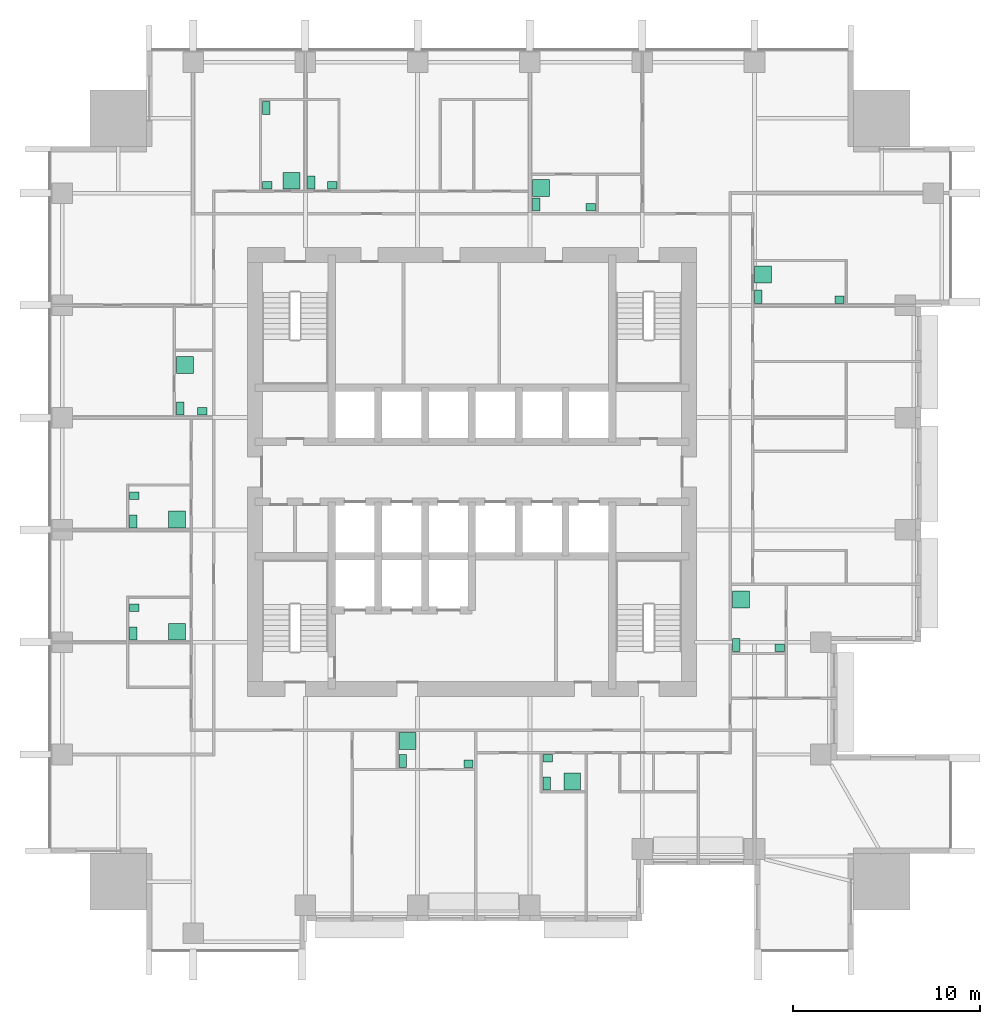
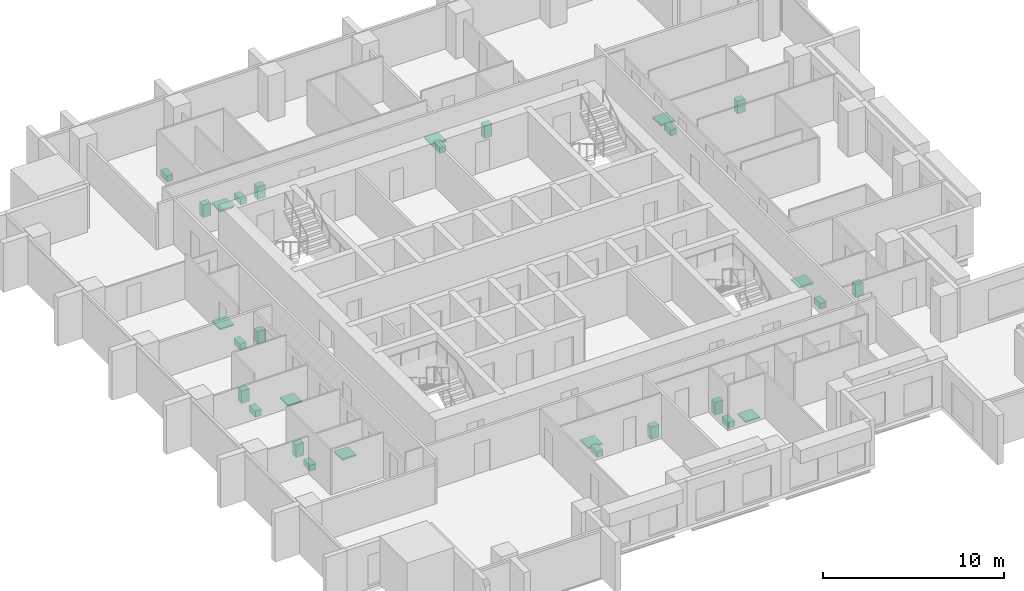
# One storey, part 10 of 10: 29 sanitary terminals.
"""IFC4 building model written with IfcOpenShell, lengths in metres."""

from ifc_helpers import new_model, si_unit, direction, frame, origin, origin_2d, place, context, subcontext, project, spatial, rectangle, extrude, element, save


model = new_model("IFC4")

# Units and contexts
model_context = context("Model", 3, precision=1e-05, world=origin(), true_north=direction((0.0, 1.0)))
body_context = subcontext(model_context, "Body", "Model", "MODEL_VIEW")
ifc_project = project(units=[si_unit("LENGTHUNIT", "METRE"), si_unit("AREAUNIT", "SQUARE_METRE"), si_unit("VOLUMEUNIT", "CUBIC_METRE"), si_unit("PLANEANGLEUNIT", "RADIAN"), si_unit("MASSUNIT", "GRAM", prefix="KILO")], contexts=[model_context])

# Site, building, storey
site_placement = place(None, origin())
site = spatial("IfcSite", under=ifc_project, at=site_placement, CompositionType="ELEMENT")
building_placement = place(site_placement, origin())
building = spatial("IfcBuilding", under=site, at=building_placement, Name="Amberfall Residences", CompositionType="ELEMENT")
storey_placement = place(building_placement, frame((0.0, 0.0, 85.300048828125)))
storey = spatial("IfcBuildingStorey", under=building, at=storey_placement, Name="L22", CompositionType="ELEMENT", Elevation=85.300048828125)

# Sanitary terminals
sanitary_terminal_1_placement = place(storey_placement, frame((70.81005859375, 30.06005859375, 0.0), z_axis=(0.0, 0.0, 1.0), x_axis=(1.0, 0.0, 0.0)))
element("IfcSanitaryTerminal", 1, at=sanitary_terminal_1_placement, inside=storey, Name="Water closet 2201", PredefinedType="TOILETPAN", context=body_context, shape_type="SweptSolid", body=[
    extrude(rectangle(XDim=0.39990234375, YDim=0.699951171875, at=origin_2d()), origin(), (0.0, 0.0, 1.0), 0.39990234375),
])
sanitary_terminal_2_placement = place(storey_placement, frame((74.31494140625, 29.909912109375, 0.0), z_axis=(0.0, 0.0, 1.0), x_axis=(1.0, 0.0, 0.0)))
element("IfcSanitaryTerminal", 2, at=sanitary_terminal_2_placement, inside=storey, Name="Basin 2201", PredefinedType="WASHHANDBASIN", context=body_context, shape_type="SweptSolid", body=[
    extrude(rectangle(XDim=0.5, YDim=0.39990234375, at=origin_2d()), origin(), (0.0, 0.0, 1.0), 0.85009765625),
])
sanitary_terminal_3_placement = place(storey_placement, frame((71.06005859375, 31.114990234375, 0.0), z_axis=(0.0, 0.0, 1.0), x_axis=(1.0, 0.0, 0.0)))
element("IfcSanitaryTerminal", 3, at=sanitary_terminal_3_placement, inside=storey, Name="Shower tray 2201", PredefinedType="SHOWER", context=body_context, shape_type="SweptSolid", body=[
    extrude(rectangle(XDim=0.89990234375, YDim=0.89990234375, at=origin_2d()), origin(), (0.0, 0.0, 1.0), 0.10009765625),
])
sanitary_terminal_4_placement = place(storey_placement, frame((78.510009765625, 28.860107421875, 0.0), z_axis=(0.0, 0.0, 1.0), x_axis=(1.0, 0.0, 0.0)))
element("IfcSanitaryTerminal", 4, at=sanitary_terminal_4_placement, inside=storey, Name="Water closet 2202", PredefinedType="TOILETPAN", context=body_context, shape_type="SweptSolid", body=[
    extrude(rectangle(XDim=0.39990234375, YDim=0.699951171875, at=origin_2d()), origin(), (0.0, 0.0, 1.0), 0.39990234375),
])
sanitary_terminal_5_placement = place(storey_placement, frame((78.56005859375, 30.18994140625, 0.0), z_axis=(0.0, 0.0, 1.0), x_axis=(1.0, 0.0, 0.0)))
element("IfcSanitaryTerminal", 5, at=sanitary_terminal_5_placement, inside=storey, Name="Basin 2202", PredefinedType="WASHHANDBASIN", context=body_context, shape_type="SweptSolid", body=[
    extrude(rectangle(XDim=0.5, YDim=0.39990234375, at=origin_2d()), origin(), (0.0, 0.0, 1.0), 0.85009765625),
])
sanitary_terminal_6_placement = place(storey_placement, frame((79.857177734375, 28.9599609375, 0.0), z_axis=(0.0, 0.0, 1.0), x_axis=(1.0, 0.0, 0.0)))
element("IfcSanitaryTerminal", 6, at=sanitary_terminal_6_placement, inside=storey, Name="Shower tray 2202", PredefinedType="SHOWER", context=body_context, shape_type="SweptSolid", body=[
    extrude(rectangle(XDim=0.89990234375, YDim=0.89990234375, at=origin_2d()), origin(), (0.0, 0.0, 1.0), 0.10009765625),
])
sanitary_terminal_7_placement = place(storey_placement, frame((88.635009765625, 36.260009765625, 0.0), z_axis=(0.0, 0.0, 1.0), x_axis=(1.0, 0.0, 0.0)))
element("IfcSanitaryTerminal", 7, at=sanitary_terminal_7_placement, inside=storey, Name="Water closet 2203", PredefinedType="TOILETPAN", context=body_context, shape_type="SweptSolid", body=[
    extrude(rectangle(XDim=0.39990234375, YDim=0.699951171875, at=origin_2d()), origin(), (0.0, 0.0, 1.0), 0.39990234375),
])
sanitary_terminal_8_placement = place(storey_placement, frame((90.93994140625, 36.110107421875, 0.0), z_axis=(0.0, 0.0, 1.0), x_axis=(1.0, 0.0, 0.0)))
element("IfcSanitaryTerminal", 8, at=sanitary_terminal_8_placement, inside=storey, Name="Basin 2203", PredefinedType="WASHHANDBASIN", context=body_context, shape_type="SweptSolid", body=[
    extrude(rectangle(XDim=0.5, YDim=0.39990234375, at=origin_2d()), origin(), (0.0, 0.0, 1.0), 0.85009765625),
])
sanitary_terminal_9_placement = place(storey_placement, frame((88.885009765625, 38.6826171875, 0.0), z_axis=(0.0, 0.0, 1.0), x_axis=(1.0, 0.0, 0.0)))
element("IfcSanitaryTerminal", 9, at=sanitary_terminal_9_placement, inside=storey, Name="Shower tray 2203", PredefinedType="SHOWER", context=body_context, shape_type="SweptSolid", body=[
    extrude(rectangle(XDim=0.89990234375, YDim=0.89990234375, at=origin_2d()), origin(), (0.0, 0.0, 1.0), 0.10009765625),
])
sanitary_terminal_10_placement = place(storey_placement, frame((89.81005859375, 54.860107421875, 0.0), z_axis=(0.0, 0.0, 1.0), x_axis=(1.0, 0.0, 0.0)))
element("IfcSanitaryTerminal", 10, at=sanitary_terminal_10_placement, inside=storey, Name="Water closet 2204", PredefinedType="TOILETPAN", context=body_context, shape_type="SweptSolid", body=[
    extrude(rectangle(XDim=0.39990234375, YDim=0.699951171875, at=origin_2d()), origin(), (0.0, 0.0, 1.0), 0.39990234375),
])
sanitary_terminal_11_placement = place(storey_placement, frame((94.139892578125, 54.7099609375, 0.0), z_axis=(0.0, 0.0, 1.0), x_axis=(1.0, 0.0, 0.0)))
element("IfcSanitaryTerminal", 11, at=sanitary_terminal_11_placement, inside=storey, Name="Basin 2204", PredefinedType="WASHHANDBASIN", context=body_context, shape_type="SweptSolid", body=[
    extrude(rectangle(XDim=0.5, YDim=0.39990234375, at=origin_2d()), origin(), (0.0, 0.0, 1.0), 0.85009765625),
])
sanitary_terminal_12_placement = place(storey_placement, frame((90.06005859375, 56.05712890625, 0.0), z_axis=(0.0, 0.0, 1.0), x_axis=(1.0, 0.0, 0.0)))
element("IfcSanitaryTerminal", 12, at=sanitary_terminal_12_placement, inside=storey, Name="Shower tray 2204", PredefinedType="SHOWER", context=body_context, shape_type="SweptSolid", body=[
    extrude(rectangle(XDim=0.89990234375, YDim=0.89990234375, at=origin_2d()), origin(), (0.0, 0.0, 1.0), 0.10009765625),
])
sanitary_terminal_13_placement = place(storey_placement, frame((65.909912109375, 60.9599609375, 0.0), z_axis=(0.0, 0.0, 1.0), x_axis=(1.0, 0.0, 0.0)))
element("IfcSanitaryTerminal", 13, at=sanitary_terminal_13_placement, inside=storey, Name="Water closet 2205 1", PredefinedType="TOILETPAN", context=body_context, shape_type="SweptSolid", body=[
    extrude(rectangle(XDim=0.39990234375, YDim=0.699951171875, at=origin_2d()), origin(), (0.0, 0.0, 1.0), 0.39990234375),
])
sanitary_terminal_14_placement = place(storey_placement, frame((67.0400390625, 60.81005859375, 0.0), z_axis=(0.0, 0.0, 1.0), x_axis=(1.0, 0.0, 0.0)))
element("IfcSanitaryTerminal", 14, at=sanitary_terminal_14_placement, inside=storey, Name="Basin 2205 1", PredefinedType="WASHHANDBASIN", context=body_context, shape_type="SweptSolid", body=[
    extrude(rectangle(XDim=0.5, YDim=0.39990234375, at=origin_2d()), origin(), (0.0, 0.0, 1.0), 0.85009765625),
])
sanitary_terminal_15_placement = place(storey_placement, frame((63.510009765625, 64.93994140625, 0.0), z_axis=(0.0, 0.0, 1.0), x_axis=(1.0, 0.0, 0.0)))
element("IfcSanitaryTerminal", 15, at=sanitary_terminal_15_placement, inside=storey, Name="Water closet 2205", PredefinedType="TOILETPAN", context=body_context, shape_type="SweptSolid", body=[
    extrude(rectangle(XDim=0.39990234375, YDim=0.699951171875, at=origin_2d()), origin(), (0.0, 0.0, 1.0), 0.39990234375),
])
sanitary_terminal_16_placement = place(storey_placement, frame((63.56005859375, 60.81005859375, 0.0), z_axis=(0.0, 0.0, 1.0), x_axis=(1.0, 0.0, 0.0)))
element("IfcSanitaryTerminal", 16, at=sanitary_terminal_16_placement, inside=storey, Name="Basin 2205", PredefinedType="WASHHANDBASIN", context=body_context, shape_type="SweptSolid", body=[
    extrude(rectangle(XDim=0.5, YDim=0.39990234375, at=origin_2d()), origin(), (0.0, 0.0, 1.0), 0.85009765625),
])
sanitary_terminal_17_placement = place(storey_placement, frame((64.857177734375, 61.06005859375, 0.0), z_axis=(0.0, 0.0, 1.0), x_axis=(1.0, 0.0, 0.0)))
element("IfcSanitaryTerminal", 17, at=sanitary_terminal_17_placement, inside=storey, Name="Shower tray 2205", PredefinedType="SHOWER", context=body_context, shape_type="SweptSolid", body=[
    extrude(rectangle(XDim=0.89990234375, YDim=0.89990234375, at=origin_2d()), origin(), (0.0, 0.0, 1.0), 0.10009765625),
])
sanitary_terminal_18_placement = place(storey_placement, frame((77.93505859375, 59.784912109375, 0.0), z_axis=(0.0, 0.0, 1.0), x_axis=(1.0, 0.0, 0.0)))
element("IfcSanitaryTerminal", 18, at=sanitary_terminal_18_placement, inside=storey, Name="Water closet 2206", PredefinedType="TOILETPAN", context=body_context, shape_type="SweptSolid", body=[
    extrude(rectangle(XDim=0.39990234375, YDim=0.699951171875, at=origin_2d()), origin(), (0.0, 0.0, 1.0), 0.39990234375),
])
sanitary_terminal_19_placement = place(storey_placement, frame((80.840087890625, 59.635009765625, 0.0), z_axis=(0.0, 0.0, 1.0), x_axis=(1.0, 0.0, 0.0)))
element("IfcSanitaryTerminal", 19, at=sanitary_terminal_19_placement, inside=storey, Name="Basin 2206", PredefinedType="WASHHANDBASIN", context=body_context, shape_type="SweptSolid", body=[
    extrude(rectangle(XDim=0.5, YDim=0.39990234375, at=origin_2d()), origin(), (0.0, 0.0, 1.0), 0.85009765625),
])
sanitary_terminal_20_placement = place(storey_placement, frame((78.18505859375, 60.680908203125, 0.0), z_axis=(0.0, 0.0, 1.0), x_axis=(1.0, 0.0, 0.0)))
element("IfcSanitaryTerminal", 20, at=sanitary_terminal_20_placement, inside=storey, Name="Shower tray 2206", PredefinedType="SHOWER", context=body_context, shape_type="SweptSolid", body=[
    extrude(rectangle(XDim=0.89990234375, YDim=0.89990234375, at=origin_2d()), origin(), (0.0, 0.0, 1.0), 0.10009765625),
])
sanitary_terminal_21_placement = place(storey_placement, frame((56.409912109375, 36.860107421875, 0.0), z_axis=(0.0, 0.0, 1.0), x_axis=(1.0, 0.0, 0.0)))
element("IfcSanitaryTerminal", 21, at=sanitary_terminal_21_placement, inside=storey, Name="Water closet 2207", PredefinedType="TOILETPAN", context=body_context, shape_type="SweptSolid", body=[
    extrude(rectangle(XDim=0.39990234375, YDim=0.699951171875, at=origin_2d()), origin(), (0.0, 0.0, 1.0), 0.39990234375),
])
sanitary_terminal_22_placement = place(storey_placement, frame((56.4599609375, 38.235595703125, 0.0), z_axis=(0.0, 0.0, 1.0), x_axis=(1.0, 0.0, 0.0)))
element("IfcSanitaryTerminal", 22, at=sanitary_terminal_22_placement, inside=storey, Name="Basin 2207", PredefinedType="WASHHANDBASIN", context=body_context, shape_type="SweptSolid", body=[
    extrude(rectangle(XDim=0.5, YDim=0.39990234375, at=origin_2d()), origin(), (0.0, 0.0, 1.0), 0.85009765625),
])
sanitary_terminal_23_placement = place(storey_placement, frame((58.732666015625, 36.9599609375, 0.0), z_axis=(0.0, 0.0, 1.0), x_axis=(1.0, 0.0, 0.0)))
element("IfcSanitaryTerminal", 23, at=sanitary_terminal_23_placement, inside=storey, Name="Shower tray 2207", PredefinedType="SHOWER", context=body_context, shape_type="SweptSolid", body=[
    extrude(rectangle(XDim=0.89990234375, YDim=0.89990234375, at=origin_2d()), origin(), (0.0, 0.0, 1.0), 0.10009765625),
])
sanitary_terminal_24_placement = place(storey_placement, frame((56.409912109375, 42.860107421875, 0.0), z_axis=(0.0, 0.0, 1.0), x_axis=(1.0, 0.0, 0.0)))
element("IfcSanitaryTerminal", 24, at=sanitary_terminal_24_placement, inside=storey, Name="Water closet 2207", PredefinedType="TOILETPAN", context=body_context, shape_type="SweptSolid", body=[
    extrude(rectangle(XDim=0.39990234375, YDim=0.699951171875, at=origin_2d()), origin(), (0.0, 0.0, 1.0), 0.39990234375),
])
sanitary_terminal_25_placement = place(storey_placement, frame((56.4599609375, 44.235595703125, 0.0), z_axis=(0.0, 0.0, 1.0), x_axis=(1.0, 0.0, 0.0)))
element("IfcSanitaryTerminal", 25, at=sanitary_terminal_25_placement, inside=storey, Name="Basin 2207", PredefinedType="WASHHANDBASIN", context=body_context, shape_type="SweptSolid", body=[
    extrude(rectangle(XDim=0.5, YDim=0.39990234375, at=origin_2d()), origin(), (0.0, 0.0, 1.0), 0.85009765625),
])
sanitary_terminal_26_placement = place(storey_placement, frame((58.732666015625, 42.9599609375, 0.0), z_axis=(0.0, 0.0, 1.0), x_axis=(1.0, 0.0, 0.0)))
element("IfcSanitaryTerminal", 26, at=sanitary_terminal_26_placement, inside=storey, Name="Shower tray 2207", PredefinedType="SHOWER", context=body_context, shape_type="SweptSolid", body=[
    extrude(rectangle(XDim=0.89990234375, YDim=0.89990234375, at=origin_2d()), origin(), (0.0, 0.0, 1.0), 0.10009765625),
])
sanitary_terminal_27_placement = place(storey_placement, frame((58.909912109375, 48.885009765625, 0.0), z_axis=(0.0, 0.0, 1.0), x_axis=(1.0, 0.0, 0.0)))
element("IfcSanitaryTerminal", 27, at=sanitary_terminal_27_placement, inside=storey, Name="Water closet 2208", PredefinedType="TOILETPAN", context=body_context, shape_type="SweptSolid", body=[
    extrude(rectangle(XDim=0.39990234375, YDim=0.699951171875, at=origin_2d()), origin(), (0.0, 0.0, 1.0), 0.39990234375),
])
sanitary_terminal_28_placement = place(storey_placement, frame((60.089111328125, 48.735107421875, 0.0), z_axis=(0.0, 0.0, 1.0), x_axis=(1.0, 0.0, 0.0)))
element("IfcSanitaryTerminal", 28, at=sanitary_terminal_28_placement, inside=storey, Name="Basin 2208", PredefinedType="WASHHANDBASIN", context=body_context, shape_type="SweptSolid", body=[
    extrude(rectangle(XDim=0.5, YDim=0.39990234375, at=origin_2d()), origin(), (0.0, 0.0, 1.0), 0.85009765625),
])
sanitary_terminal_29_placement = place(storey_placement, frame((59.159912109375, 51.216796875, 0.0), z_axis=(0.0, 0.0, 1.0), x_axis=(1.0, 0.0, 0.0)))
element("IfcSanitaryTerminal", 29, at=sanitary_terminal_29_placement, inside=storey, Name="Shower tray 2208", PredefinedType="SHOWER", context=body_context, shape_type="SweptSolid", body=[
    extrude(rectangle(XDim=0.89990234375, YDim=0.89990234375, at=origin_2d()), origin(), (0.0, 0.0, 1.0), 0.10009765625),
])

save(model, "model.ifc")
